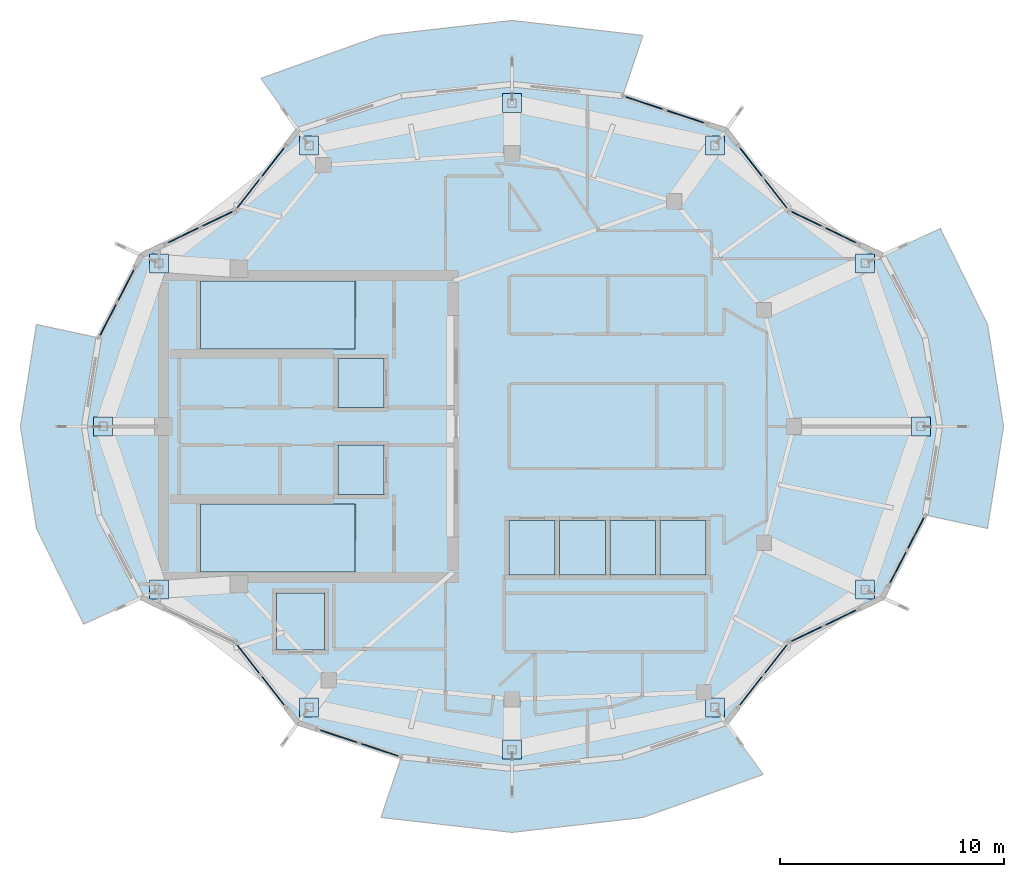
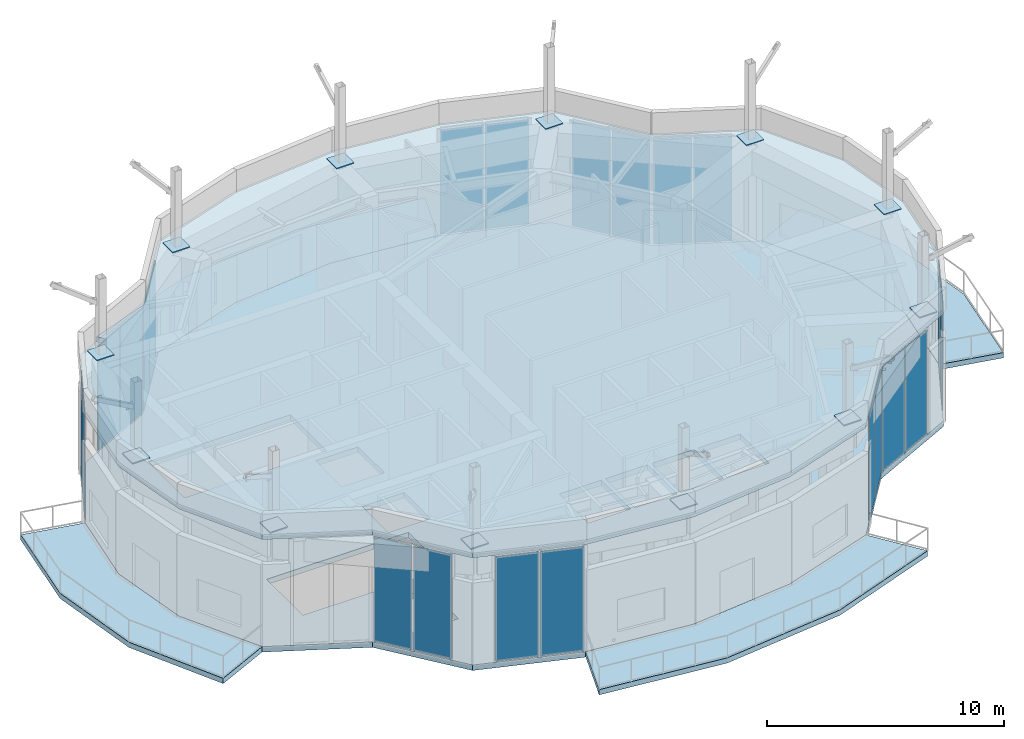
# One storey, part 5 of 13: 34 plates, 6 slabs, 11 elements without a shape of their own.
"""IFC4 building model written with IfcOpenShell, lengths in metres."""

from ifc_helpers import new_model, si_unit, direction, frame, origin, origin_2d, place, context, subcontext, project, spatial, polyline, rectangle, outline, extrude, material, layer, layer_set, type_object, element, aggregate, save


model = new_model("IFC4")

# Units and contexts
model_context = context("Model", 3, precision=1e-05, world=origin(), true_north=direction((0.0, 1.0)))
body_context = subcontext(model_context, "Body", "Model", "MODEL_VIEW")
ifc_project = project(units=[si_unit("LENGTHUNIT", "METRE"), si_unit("AREAUNIT", "SQUARE_METRE"), si_unit("VOLUMEUNIT", "CUBIC_METRE"), si_unit("PLANEANGLEUNIT", "RADIAN"), si_unit("MASSUNIT", "GRAM", prefix="KILO")], contexts=[model_context])

# Site, building, storey
site_placement = place(None, origin())
site = spatial("IfcSite", under=ifc_project, at=site_placement, CompositionType="ELEMENT")
building_placement = place(site_placement, origin())
building = spatial("IfcBuilding", under=site, at=building_placement, Name="Kolvaren Gate Tower and Convention Centre", CompositionType="ELEMENT")
storey_placement = place(building_placement, frame((0.0, 0.0, 281.60009765625)))
storey = spatial("IfcBuildingStorey", under=building, at=storey_placement, Name="L76", CompositionType="ELEMENT", Elevation=281.60009765625)

# Curtain wall, plates
ifc_material_1 = material(Name="Anodized Architectural Aluminium Alloy 6063-T6", Category="aluminium")
ifc_layer_1 = layer(ifc_material_1, 0.199951171875)
ifc_layer_set_1 = layer_set([ifc_layer_1], Name="Anodized Architectural Aluminium Alloy 6063-T6")
curtain_wall_type = type_object("IfcCurtainWallType", Name="CW-SKY-GLZ", PredefinedType="NOTDEFINED", material=ifc_layer_set_1)
curtain_wall_1_placement = place(storey_placement, origin())
curtain_wall_1 = element("IfcCurtainWall", 1, at=curtain_wall_1_placement, inside=storey, type_object=curtain_wall_type, Name="L76 Panoramic Structural Curtain Wall CW-02", PredefinedType="NOTDEFINED")
ifc_material_2 = material(Name="Low-E Triple Insulated Glazing Unit 44 mm", Category="glass")
ifc_layer_2 = layer(ifc_material_2, 0.0439453125)
ifc_layer_set_2 = layer_set([ifc_layer_2], Name="Low-E Triple Insulated Glazing Unit 44 mm")
plate_type_1 = type_object("IfcPlateType", Name="CW-PL-IGU-44", PredefinedType="CURTAIN_PANEL", material=ifc_layer_set_2)
plate_1_placement = place(storey_placement, frame((43.29345703125, 36.28076171875, 0.074951171875), z_axis=(0.0, 0.0, 1.0), x_axis=(0.90135754805, -0.433075709979, 0.0)))
plate_1 = element("IfcPlate", 2, at=plate_1_placement, type_object=plate_type_1, Name="CW-05 panel 1.1", PredefinedType="CURTAIN_PANEL", context=body_context, shape_type="SweptSolid", body=[
    extrude(rectangle(XDim=1.623046875, YDim=0.0439453125, at=origin_2d()), origin(), (0.0, 0.0, 1.0), 5.35009765625),
])
plate_2_placement = place(storey_placement, frame((44.823974609375, 35.54541015625, 0.074951171875), z_axis=(0.0, 0.0, 1.0), x_axis=(0.90135754805, -0.433075709979, 0.0)))
plate_2 = element("IfcPlate", 3, at=plate_2_placement, type_object=plate_type_1, Name="CW-05 panel 2.1", PredefinedType="CURTAIN_PANEL", context=body_context, shape_type="SweptSolid", body=[
    extrude(rectangle(XDim=1.623046875, YDim=0.0439453125, at=origin_2d()), origin(), (0.0, 0.0, 1.0), 5.35009765625),
])
aggregate(curtain_wall_1, [plate_1, plate_2])

curtain_wall_2_placement = place(storey_placement, origin())
curtain_wall_2 = element("IfcCurtainWall", 4, at=curtain_wall_2_placement, inside=storey, type_object=curtain_wall_type, Name="L76 Panoramic Structural Curtain Wall CW-03", PredefinedType="NOTDEFINED")
plate_3_placement = place(storey_placement, frame((40.8056640625, 38.82177734375, 0.074951171875), z_axis=(0.0, 0.0, 1.0), x_axis=(0.616426301332, -0.787412607866, 0.0)))
plate_3 = element("IfcPlate", 5, at=plate_3_placement, type_object=plate_type_1, Name="CW-05 panel 1.1", PredefinedType="CURTAIN_PANEL", context=body_context, shape_type="SweptSolid", body=[
    extrude(rectangle(XDim=1.726318359375, YDim=0.0439453125, at=origin_2d()), origin(), (0.0, 0.0, 1.0), 5.35009765625),
])
plate_4_placement = place(storey_placement, frame((41.916015625, 37.4033203125, 0.074951171875), z_axis=(0.0, 0.0, 1.0), x_axis=(0.616426301332, -0.787412607866, 0.0)))
plate_4 = element("IfcPlate", 6, at=plate_4_placement, type_object=plate_type_1, Name="CW-05 panel 2.1", PredefinedType="CURTAIN_PANEL", context=body_context, shape_type="SweptSolid", body=[
    extrude(rectangle(XDim=1.726318359375, YDim=0.0439453125, at=origin_2d()), origin(), (0.0, 0.0, 1.0), 5.35009765625),
])
aggregate(curtain_wall_2, [plate_3, plate_4])

curtain_wall_3_placement = place(storey_placement, origin())
curtain_wall_3 = element("IfcCurtainWall", 7, at=curtain_wall_3_placement, inside=storey, type_object=curtain_wall_type, Name="L76 Panoramic Structural Curtain Wall CW-04", PredefinedType="NOTDEFINED")
plate_5_placement = place(storey_placement, frame((36.033447265625, 41.461181640625, 0.074951171875), z_axis=(0.0, 0.0, 1.0), x_axis=(0.949239339082, -0.314554728367, 0.0)))
plate_5 = element("IfcPlate", 8, at=plate_5_placement, type_object=plate_type_1, Name="CW-05 panel 1.1", PredefinedType="CURTAIN_PANEL", context=body_context, shape_type="SweptSolid", body=[
    extrude(rectangle(XDim=1.86962890625, YDim=0.0439453125, at=origin_2d()), origin(), (0.0, 0.0, 1.0), 5.35009765625),
])
plate_6_placement = place(storey_placement, frame((37.879150390625, 40.849365234375, 0.074951171875), z_axis=(0.0, 0.0, 1.0), x_axis=(0.949239339082, -0.314554728367, 0.0)))
plate_6 = element("IfcPlate", 9, at=plate_6_placement, type_object=plate_type_1, Name="CW-05 panel 2.1", PredefinedType="CURTAIN_PANEL", context=body_context, shape_type="SweptSolid", body=[
    extrude(rectangle(XDim=1.86962890625, YDim=0.0439453125, at=origin_2d()), origin(), (0.0, 0.0, 1.0), 5.35009765625),
])
aggregate(curtain_wall_3, [plate_5, plate_6])

curtain_wall_4_placement = place(storey_placement, origin())
curtain_wall_4 = element("IfcCurtainWall", 10, at=curtain_wall_4_placement, inside=storey, type_object=curtain_wall_type, Name="L76 Panoramic Structural Curtain Wall CW-08", PredefinedType="NOTDEFINED")
plate_7_placement = place(storey_placement, frame((18.333740234375, 37.4033203125, 0.074951171875), z_axis=(0.0, 0.0, 1.0), x_axis=(0.616428517049, 0.787410873286, 0.0)))
plate_7 = element("IfcPlate", 11, at=plate_7_placement, type_object=plate_type_1, Name="CW-05 panel 1.1", PredefinedType="CURTAIN_PANEL", context=body_context, shape_type="SweptSolid", body=[
    extrude(rectangle(XDim=1.72607421875, YDim=0.0439453125, at=origin_2d()), origin(), (0.0, 0.0, 1.0), 5.35009765625),
])
plate_8_placement = place(storey_placement, frame((19.444091796875, 38.8212890625, 0.074951171875), z_axis=(0.0, 0.0, 1.0), x_axis=(0.616428517049, 0.787410873286, 0.0)))
plate_8 = element("IfcPlate", 12, at=plate_8_placement, type_object=plate_type_1, Name="CW-05 panel 2.1", PredefinedType="CURTAIN_PANEL", context=body_context, shape_type="SweptSolid", body=[
    extrude(rectangle(XDim=1.72607421875, YDim=0.0439453125, at=origin_2d()), origin(), (0.0, 0.0, 1.0), 5.35009765625),
])
aggregate(curtain_wall_4, [plate_7, plate_8])

curtain_wall_5_placement = place(storey_placement, origin())
curtain_wall_5 = element("IfcCurtainWall", 13, at=curtain_wall_5_placement, inside=storey, type_object=curtain_wall_type, Name="L76 Panoramic Structural Curtain Wall CW-09", PredefinedType="NOTDEFINED")
plate_9_placement = place(storey_placement, frame((15.42578125, 35.54541015625, 0.074951171875), z_axis=(0.0, 0.0, 1.0), x_axis=(0.901368354197, 0.433053218498, 0.0)))
plate_9 = element("IfcPlate", 14, at=plate_9_placement, type_object=plate_type_1, Name="CW-05 panel 1.1", PredefinedType="CURTAIN_PANEL", context=body_context, shape_type="SweptSolid", body=[
    extrude(rectangle(XDim=1.623046875, YDim=0.0439453125, at=origin_2d()), origin(), (0.0, 0.0, 1.0), 5.35009765625),
])
plate_10_placement = place(storey_placement, frame((16.95654296875, 36.28076171875, 0.074951171875), z_axis=(0.0, 0.0, 1.0), x_axis=(0.901368354197, 0.433053218498, 0.0)))
plate_10 = element("IfcPlate", 15, at=plate_10_placement, type_object=plate_type_1, Name="CW-05 panel 2.1", PredefinedType="CURTAIN_PANEL", context=body_context, shape_type="SweptSolid", body=[
    extrude(rectangle(XDim=1.623046875, YDim=0.0439453125, at=origin_2d()), origin(), (0.0, 0.0, 1.0), 5.35009765625),
])
aggregate(curtain_wall_5, [plate_9, plate_10])

curtain_wall_6_placement = place(storey_placement, origin())
curtain_wall_6 = element("IfcCurtainWall", 16, at=curtain_wall_6_placement, inside=storey, type_object=curtain_wall_type, Name="L76 Panoramic Structural Curtain Wall CW-10", PredefinedType="NOTDEFINED")
plate_11_placement = place(storey_placement, frame((12.06884765625, 31.765625, 0.074951171875), z_axis=(0.0, 0.0, 1.0), x_axis=(0.459785704512, 0.888029901482, 0.0)))
plate_11 = element("IfcPlate", 17, at=plate_11_placement, type_object=plate_type_1, Name="CW-05 panel 1.1", PredefinedType="CURTAIN_PANEL", context=body_context, shape_type="SweptSolid", body=[
    extrude(rectangle(XDim=1.66455078125, YDim=0.0439453125, at=origin_2d()), origin(), (0.0, 0.0, 1.0), 5.35009765625),
])
plate_12_placement = place(storey_placement, frame((12.86865234375, 33.310302734375, 0.074951171875), z_axis=(0.0, 0.0, 1.0), x_axis=(0.459785704512, 0.888029901482, 0.0)))
plate_12 = element("IfcPlate", 18, at=plate_12_placement, type_object=plate_type_1, Name="CW-05 panel 2.1", PredefinedType="CURTAIN_PANEL", context=body_context, shape_type="SweptSolid", body=[
    extrude(rectangle(XDim=1.66455078125, YDim=0.0439453125, at=origin_2d()), origin(), (0.0, 0.0, 1.0), 5.35009765625),
])
aggregate(curtain_wall_6, [plate_11, plate_12])

curtain_wall_7_placement = place(storey_placement, origin())
curtain_wall_7 = element("IfcCurtainWall", 19, at=curtain_wall_7_placement, inside=storey, type_object=curtain_wall_type, Name="L76 Panoramic Structural Curtain Wall CW-15", PredefinedType="NOTDEFINED")
plate_13_placement = place(storey_placement, frame((18.333740234375, 16.5966796875, 0.074951171875), z_axis=(0.0, 0.0, 1.0), x_axis=(0.616428517049, -0.787410873286, 0.0)))
plate_13 = element("IfcPlate", 20, at=plate_13_placement, type_object=plate_type_1, Name="CW-05 panel 1.1", PredefinedType="CURTAIN_PANEL", context=body_context, shape_type="SweptSolid", body=[
    extrude(rectangle(XDim=1.72607421875, YDim=0.0439453125, at=origin_2d()), origin(), (0.0, 0.0, 1.0), 5.35009765625),
])
plate_14_placement = place(storey_placement, frame((19.444091796875, 15.1787109375, 0.074951171875), z_axis=(0.0, 0.0, 1.0), x_axis=(0.616428517049, -0.787410873286, 0.0)))
plate_14 = element("IfcPlate", 21, at=plate_14_placement, type_object=plate_type_1, Name="CW-05 panel 2.1", PredefinedType="CURTAIN_PANEL", context=body_context, shape_type="SweptSolid", body=[
    extrude(rectangle(XDim=1.72607421875, YDim=0.0439453125, at=origin_2d()), origin(), (0.0, 0.0, 1.0), 5.35009765625),
])
aggregate(curtain_wall_7, [plate_13, plate_14])

curtain_wall_8_placement = place(storey_placement, origin())
curtain_wall_8 = element("IfcCurtainWall", 22, at=curtain_wall_8_placement, inside=storey, type_object=curtain_wall_type, Name="L76 Panoramic Structural Curtain Wall CW-16", PredefinedType="NOTDEFINED")
plate_15_placement = place(storey_placement, frame((22.37060546875, 13.150634765625, 0.074951171875), z_axis=(0.0, 0.0, 1.0), x_axis=(0.949236798882, -0.314562393889, 0.0)))
plate_15 = element("IfcPlate", 23, at=plate_15_placement, type_object=plate_type_1, Name="CW-05 panel 1.1", PredefinedType="CURTAIN_PANEL", context=body_context, shape_type="SweptSolid", body=[
    extrude(rectangle(XDim=1.86962890625, YDim=0.0439453125, at=origin_2d()), origin(), (0.0, 0.0, 1.0), 5.35009765625),
])
plate_16_placement = place(storey_placement, frame((24.216552734375, 12.5390625, 0.074951171875), z_axis=(0.0, 0.0, 1.0), x_axis=(0.949236798882, -0.314562393889, 0.0)))
plate_16 = element("IfcPlate", 24, at=plate_16_placement, type_object=plate_type_1, Name="CW-05 panel 2.1", PredefinedType="CURTAIN_PANEL", context=body_context, shape_type="SweptSolid", body=[
    extrude(rectangle(XDim=1.86962890625, YDim=0.0439453125, at=origin_2d()), origin(), (0.0, 0.0, 1.0), 5.35009765625),
])
aggregate(curtain_wall_8, [plate_15, plate_16])

curtain_wall_9_placement = place(storey_placement, origin())
curtain_wall_9 = element("IfcCurtainWall", 25, at=curtain_wall_9_placement, inside=storey, type_object=curtain_wall_type, Name="L76 Panoramic Structural Curtain Wall CW-20", PredefinedType="NOTDEFINED")
plate_17_placement = place(storey_placement, frame((40.8056640625, 15.17822265625, 0.074951171875), z_axis=(0.0, 0.0, 1.0), x_axis=(0.616426301332, 0.787412607866, 0.0)))
plate_17 = element("IfcPlate", 26, at=plate_17_placement, type_object=plate_type_1, Name="CW-05 panel 1.1", PredefinedType="CURTAIN_PANEL", context=body_context, shape_type="SweptSolid", body=[
    extrude(rectangle(XDim=1.726318359375, YDim=0.0439453125, at=origin_2d()), origin(), (0.0, 0.0, 1.0), 5.35009765625),
])
plate_18_placement = place(storey_placement, frame((41.916015625, 16.5966796875, 0.074951171875), z_axis=(0.0, 0.0, 1.0), x_axis=(0.616426301332, 0.787412607866, 0.0)))
plate_18 = element("IfcPlate", 27, at=plate_18_placement, type_object=plate_type_1, Name="CW-05 panel 2.1", PredefinedType="CURTAIN_PANEL", context=body_context, shape_type="SweptSolid", body=[
    extrude(rectangle(XDim=1.726318359375, YDim=0.0439453125, at=origin_2d()), origin(), (0.0, 0.0, 1.0), 5.35009765625),
])
aggregate(curtain_wall_9, [plate_17, plate_18])

curtain_wall_10_placement = place(storey_placement, origin())
curtain_wall_10 = element("IfcCurtainWall", 28, at=curtain_wall_10_placement, inside=storey, type_object=curtain_wall_type, Name="L76 Panoramic Structural Curtain Wall CW-21", PredefinedType="NOTDEFINED")
plate_19_placement = place(storey_placement, frame((43.29345703125, 17.71923828125, 0.074951171875), z_axis=(0.0, 0.0, 1.0), x_axis=(0.90135754805, 0.433075709979, 0.0)))
plate_19 = element("IfcPlate", 29, at=plate_19_placement, type_object=plate_type_1, Name="CW-05 panel 1.1", PredefinedType="CURTAIN_PANEL", context=body_context, shape_type="SweptSolid", body=[
    extrude(rectangle(XDim=1.623046875, YDim=0.0439453125, at=origin_2d()), origin(), (0.0, 0.0, 1.0), 5.35009765625),
])
plate_20_placement = place(storey_placement, frame((44.823974609375, 18.45458984375, 0.074951171875), z_axis=(0.0, 0.0, 1.0), x_axis=(0.90135754805, 0.433075709979, 0.0)))
plate_20 = element("IfcPlate", 30, at=plate_20_placement, type_object=plate_type_1, Name="CW-05 panel 2.1", PredefinedType="CURTAIN_PANEL", context=body_context, shape_type="SweptSolid", body=[
    extrude(rectangle(XDim=1.623046875, YDim=0.0439453125, at=origin_2d()), origin(), (0.0, 0.0, 1.0), 5.35009765625),
])
aggregate(curtain_wall_10, [plate_19, plate_20])

curtain_wall_11_placement = place(storey_placement, origin())
curtain_wall_11 = element("IfcCurtainWall", 31, at=curtain_wall_11_placement, inside=storey, type_object=curtain_wall_type, Name="L76 Panoramic Structural Curtain Wall CW-22", PredefinedType="NOTDEFINED")
plate_21_placement = place(storey_placement, frame((47.381591796875, 20.690185546875, 0.074951171875), z_axis=(0.0, 0.0, 1.0), x_axis=(0.459788069293, 0.888028677091, 0.0)))
plate_21 = element("IfcPlate", 32, at=plate_21_placement, type_object=plate_type_1, Name="CW-05 panel 1.1", PredefinedType="CURTAIN_PANEL", context=body_context, shape_type="SweptSolid", body=[
    extrude(rectangle(XDim=1.664306640625, YDim=0.0439453125, at=origin_2d()), origin(), (0.0, 0.0, 1.0), 5.35009765625),
])
plate_22_placement = place(storey_placement, frame((48.18115234375, 22.234619140625, 0.074951171875), z_axis=(0.0, 0.0, 1.0), x_axis=(0.459788069293, 0.888028677091, 0.0)))
plate_22 = element("IfcPlate", 33, at=plate_22_placement, type_object=plate_type_1, Name="CW-05 panel 2.1", PredefinedType="CURTAIN_PANEL", context=body_context, shape_type="SweptSolid", body=[
    extrude(rectangle(XDim=1.664306640625, YDim=0.0439453125, at=origin_2d()), origin(), (0.0, 0.0, 1.0), 5.35009765625),
])
aggregate(curtain_wall_11, [plate_21, plate_22])

# Plates
ifc_material_3 = material(Name="Structural steel plate ASTM A572 Grade 345 MPa", Category="steel")
ifc_layer_3 = layer(ifc_material_3, 0.050048828125)
ifc_layer_set_3 = layer_set([ifc_layer_3], Name="Structural steel plate ASTM A572 Grade 345 MPa")
plate_type_2 = type_object("IfcPlateType", Name="STR-PL-BASE-50", PredefinedType="USERDEFINED", material=ifc_layer_set_3)
for number, where, z_axis, x_axis, name in (
    (34, (48.39990234375, 27.0, 5.75), (0.0, 0.0, 1.0), (1.0, 0.0, 0.0), "Crown Column Base Plate BP-01"),
    (35, (45.916015625, 34.293701171875, 5.75), (0.0, 0.0, 1.0), (1.0, 0.0, 0.0), "Crown Column Base Plate BP-02"),
    (36, (39.190185546875, 39.560791015625, 5.75), (0.0, 0.0, 1.0), (1.0, 0.0, 0.0), "Crown Column Base Plate BP-03"),
    (37, (30.125, 41.449951171875, 5.75), (0.0, 0.0, 1.0), (1.0, 0.0, 0.0), "Crown Column Base Plate BP-04"),
    (38, (21.059814453125, 39.560791015625, 5.75), (0.0, 0.0, 1.0), (1.0, 0.0, 0.0), "Crown Column Base Plate BP-05"),
    (39, (14.333984375, 34.293701171875, 5.75), (0.0, 0.0, 1.0), (1.0, 0.0, 0.0), "Crown Column Base Plate BP-06"),
    (40, (11.85009765625, 27.0, 5.75), (0.0, 0.0, 1.0), (1.0, 0.0, 0.0), "Crown Column Base Plate BP-07"),
    (41, (14.333984375, 19.706298828125, 5.75), (0.0, 0.0, 1.0), (1.0, 0.0, 0.0), "Crown Column Base Plate BP-08"),
    (42, (21.059814453125, 14.439208984375, 5.75), (0.0, 0.0, 1.0), (1.0, 0.0, 0.0), "Crown Column Base Plate BP-09"),
    (43, (30.125, 12.550048828125, 5.75), (0.0, 0.0, 1.0), (1.0, 0.0, 0.0), "Crown Column Base Plate BP-10"),
    (44, (39.190185546875, 14.439208984375, 5.75), (0.0, 0.0, 1.0), (1.0, 0.0, 0.0), "Crown Column Base Plate BP-11"),
    (45, (45.916015625, 19.706298828125, 5.75), (0.0, 0.0, 1.0), (1.0, 0.0, 0.0), "Crown Column Base Plate BP-12"),
):
    element("IfcPlate", number, at=place(storey_placement, frame(where, z_axis=z_axis, x_axis=x_axis)), inside=storey, type_object=plate_type_2, Name=name, ObjectType="BASE PLATE", PredefinedType="USERDEFINED", context=body_context, shape_type="SweptSolid", body=[
        extrude(rectangle(XDim=0.85009765625, YDim=0.85009765625, at=origin_2d()), origin(), (0.0, 0.0, 1.0), 0.050048828125),
    ])

# Slabs
ifc_material_4 = material(Name="Concrete C50/60", Category="concrete")
ifc_layer_4 = layer(ifc_material_4, 0.27001953125)
ifc_layer_set_4 = layer_set([ifc_layer_4], Name="Concrete C50/60")
slab_type_1 = type_object("IfcSlabType", Name="STR-SL-BALC-270", PredefinedType="FLOOR", material=ifc_layer_set_4)
slab_1_placement = place(storey_placement, frame((0.0, 0.0, -0.27001953125)))
element("IfcSlab", 46, at=slab_1_placement, inside=storey, type_object=slab_type_1, Name="Tower L76 Planted Balcony Terrace Slab 1 (East)", PredefinedType="FLOOR", context=body_context, shape_type="SweptSolid", body=[
    extrude(outline(polyline([(48.598388671875, 23.0400390625), (49.25, 27.0), (48.598388671875, 30.9599609375), (46.687744140625, 34.64990234375), (49.27490234375, 35.844970703125), (51.385009765625, 31.557373046875), (52.10009765625, 27.0), (51.385009765625, 22.442626953125), (48.598388671875, 23.0400390625)])), origin(), (0.0, 0.0, 1.0), 0.27001953125),
])
slab_2_placement = place(storey_placement, frame((0.0, 0.0, -0.27001953125)))
element("IfcSlab", 47, at=slab_2_placement, inside=storey, type_object=slab_type_1, Name="Tower L76 Planted Balcony Terrace Slab 2 (North)", PredefinedType="FLOOR", context=body_context, shape_type="SweptSolid", body=[
    extrude(outline(polyline([(35.074951171875, 41.77880859375), (30.125, 42.300048828125), (25.175048828125, 41.77880859375), (20.5625, 40.250244140625), (18.894775390625, 42.561279296875), (24.27001953125, 44.481201171875), (30.125, 45.14990234375), (35.97998046875, 44.481201171875), (35.074951171875, 41.77880859375)])), origin(), (0.0, 0.0, 1.0), 0.27001953125),
])
slab_3_placement = place(storey_placement, frame((0.0, 0.0, -0.27001953125)))
element("IfcSlab", 48, at=slab_3_placement, inside=storey, type_object=slab_type_1, Name="Tower L76 Planted Balcony Terrace Slab 3 (West)", PredefinedType="FLOOR", context=body_context, shape_type="SweptSolid", body=[
    extrude(outline(polyline([(11.651611328125, 30.9599609375), (11.0, 27.0), (11.651611328125, 23.0400390625), (13.562255859375, 19.35009765625), (10.97509765625, 18.155029296875), (8.864990234375, 22.442626953125), (8.14990234375, 27.0), (8.864990234375, 31.557373046875), (11.651611328125, 30.9599609375)])), origin(), (0.0, 0.0, 1.0), 0.27001953125),
])
slab_4_placement = place(storey_placement, frame((0.0, 0.0, -0.27001953125)))
element("IfcSlab", 49, at=slab_4_placement, inside=storey, type_object=slab_type_1, Name="Tower L76 Planted Balcony Terrace Slab 4 (South)", PredefinedType="FLOOR", context=body_context, shape_type="SweptSolid", body=[
    extrude(outline(polyline([(25.175048828125, 12.22119140625), (30.125, 11.699951171875), (35.074951171875, 12.22119140625), (39.6875, 13.749755859375), (41.355224609375, 11.438720703125), (35.97998046875, 9.518798828125), (30.125, 8.85009765625), (24.27001953125, 9.518798828125), (25.175048828125, 12.22119140625)])), origin(), (0.0, 0.0, 1.0), 0.27001953125),
])
ifc_layer_5 = layer(ifc_material_4, 0.280029296875)
ifc_layer_set_5 = layer_set([ifc_layer_5], Name="Concrete C50/60")
slab_type_2 = type_object("IfcSlabType", Name="STR-SL-FLR-280", PredefinedType="FLOOR", material=ifc_layer_set_5)
slab_5_placement = place(storey_placement, frame((0.0, 0.0, -0.280029296875)))
element("IfcSlab", 50, at=slab_5_placement, inside=storey, type_object=slab_type_2, Name="Tower L76 Structural Floor Slab", PredefinedType="FLOOR", context=body_context, shape_type="SweptSolid", body=[
    extrude(outline(polyline([(49.25, 27.0), (48.598388671875, 30.9599609375), (46.687744140625, 34.64990234375), (42.494384765625, 36.664794921875), (39.6875, 40.250244140625), (35.074951171875, 41.77880859375), (30.125, 42.300048828125), (25.175048828125, 41.77880859375), (20.5625, 40.250244140625), (17.755615234375, 36.664794921875), (13.562255859375, 34.64990234375), (11.651611328125, 30.9599609375), (11.0, 27.0), (11.651611328125, 23.0400390625), (13.562255859375, 19.35009765625), (17.755615234375, 17.335205078125), (20.5625, 13.749755859375), (25.175048828125, 12.22119140625), (30.125, 11.699951171875), (35.074951171875, 12.22119140625), (39.6875, 13.749755859375), (42.494384765625, 17.335205078125), (46.687744140625, 19.35009765625), (48.598388671875, 23.0400390625), (49.25, 27.0)]), holes=[polyline([(38.800048828125, 20.35009765625), (36.75, 20.35009765625), (36.75, 22.800048828125), (38.800048828125, 22.800048828125), (38.800048828125, 20.35009765625)]), polyline([(36.550048828125, 20.35009765625), (34.5, 20.35009765625), (34.5, 22.800048828125), (36.550048828125, 22.800048828125), (36.550048828125, 20.35009765625)]), polyline([(34.300048828125, 20.35009765625), (32.25, 20.35009765625), (32.25, 22.800048828125), (34.300048828125, 22.800048828125), (34.300048828125, 20.35009765625)]), polyline([(32.050048828125, 20.35009765625), (30.0, 20.35009765625), (30.0, 22.800048828125), (32.050048828125, 22.800048828125), (32.050048828125, 20.35009765625)]), polyline([(22.35009765625, 27.840087890625), (22.35009765625, 30.0400390625), (24.39990234375, 30.0400390625), (24.39990234375, 27.840087890625), (22.35009765625, 27.840087890625)]), polyline([(24.39990234375, 23.9599609375), (22.35009765625, 23.9599609375), (22.35009765625, 26.159912109375), (24.39990234375, 26.159912109375), (24.39990234375, 23.9599609375)]), polyline([(16.199951171875, 23.5400390625), (23.10009765625, 23.5400390625), (23.10009765625, 20.5), (16.199951171875, 20.5), (16.199951171875, 23.5400390625)]), polyline([(23.10009765625, 33.5), (23.10009765625, 30.4599609375), (16.199951171875, 30.4599609375), (16.199951171875, 33.5), (23.10009765625, 33.5)]), polyline([(21.75, 17.0), (19.60009765625, 17.0), (19.60009765625, 19.550048828125), (21.75, 19.550048828125), (21.75, 17.0)])]), origin(), (0.0, 0.0, 1.0), 0.280029296875),
])
ifc_material_5 = material(Name="Concrete C40/50", Category="concrete")
ifc_layer_6 = layer(ifc_material_5, 0.25)
ifc_layer_set_6 = layer_set([ifc_layer_6], Name="Concrete C40/50")
slab_type_3 = type_object("IfcSlabType", Name="STR-SL-ROOF-250", PredefinedType="ROOF", material=ifc_layer_set_6)
slab_6_placement = place(storey_placement, frame((0.0, 0.0, 5.5)))
element("IfcSlab", 51, at=slab_6_placement, inside=storey, type_object=slab_type_3, Name="Observation Deck Structural Roof Slab", PredefinedType="ROOF", context=body_context, shape_type="SweptSolid", body=[
    extrude(outline(polyline([(49.25, 27.0), (48.598388671875, 30.9599609375), (46.687744140625, 34.64990234375), (42.494384765625, 36.664794921875), (39.6875, 40.250244140625), (35.074951171875, 41.77880859375), (30.125, 42.300048828125), (25.175048828125, 41.77880859375), (20.5625, 40.250244140625), (17.755615234375, 36.664794921875), (13.562255859375, 34.64990234375), (11.651611328125, 30.9599609375), (11.0, 27.0), (11.651611328125, 23.0400390625), (13.562255859375, 19.35009765625), (17.755615234375, 17.335205078125), (20.5625, 13.749755859375), (25.175048828125, 12.22119140625), (30.125, 11.699951171875), (35.074951171875, 12.22119140625), (39.6875, 13.749755859375), (42.494384765625, 17.335205078125), (46.687744140625, 19.35009765625), (48.598388671875, 23.0400390625), (49.25, 27.0)])), origin(), (0.0, 0.0, 1.0), 0.25),
])

save(model, "model.ifc")
